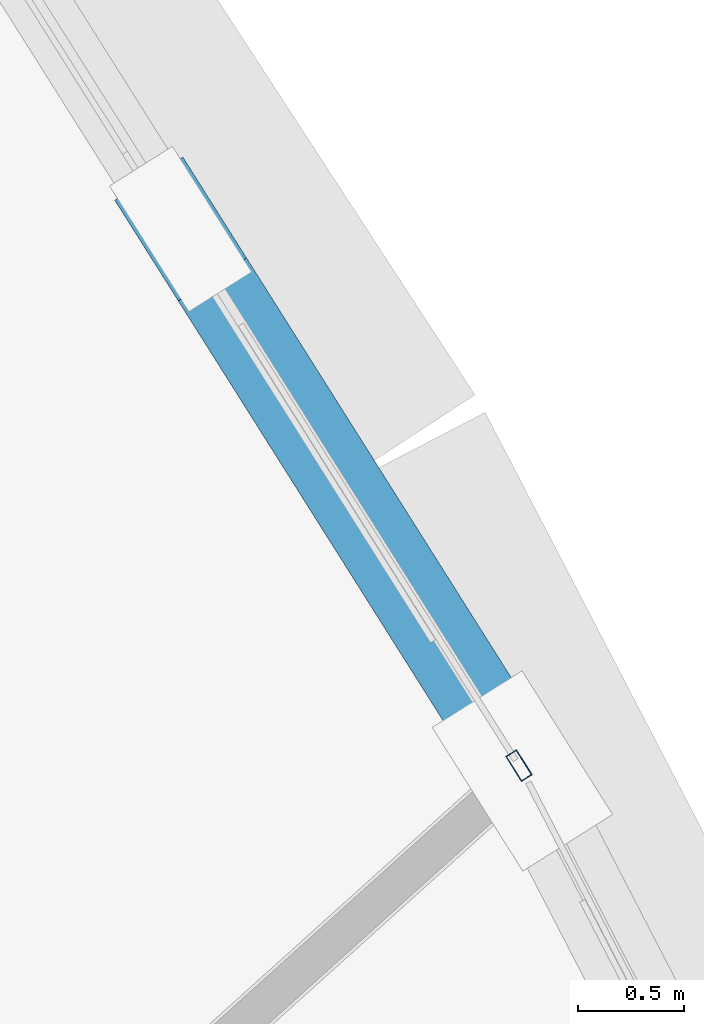
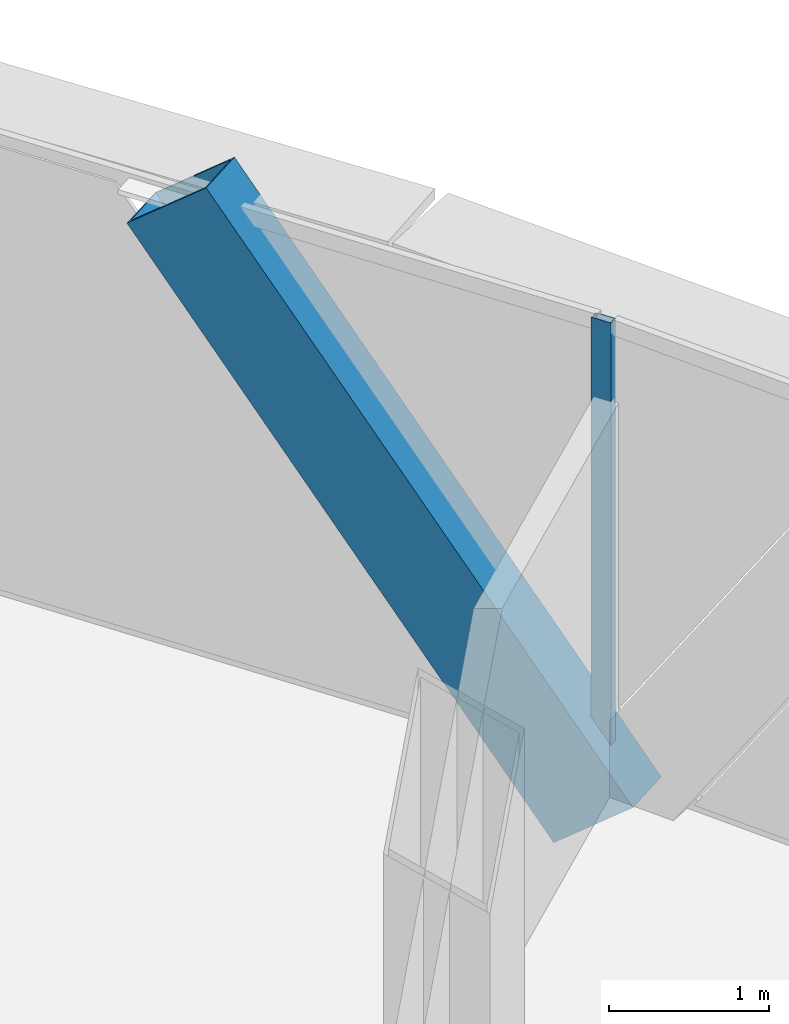
# One storey, part 15 of 28: 2 members, 1 element without a shape of its own.
"""IFC4 building model written with IfcOpenShell, lengths in metres."""

from ifc_helpers import new_model, si_unit, direction, frame, origin, origin_2d, place, context, subcontext, project, spatial, hollow_rectangle, extrude, source, transform, mapped, material, layer, layer_set, material_profile, profile_set, type_object, element, aggregate, save


model = new_model("IFC4")

# Units and contexts
model_context = context("Model", 3, precision=1e-05, world=origin(), true_north=direction((0.0, 1.0)))
body_context = subcontext(model_context, "Body", "Model", "MODEL_VIEW")
ifc_project = project(units=[si_unit("LENGTHUNIT", "METRE"), si_unit("AREAUNIT", "SQUARE_METRE"), si_unit("VOLUMEUNIT", "CUBIC_METRE"), si_unit("PLANEANGLEUNIT", "RADIAN"), si_unit("MASSUNIT", "GRAM", prefix="KILO"), si_unit("THERMODYNAMICTEMPERATUREUNIT", "KELVIN"), si_unit("POWERUNIT", "WATT")], contexts=[model_context])

# Site, building, storey
site_placement = place(None, origin())
site = spatial("IfcSite", under=ifc_project, at=site_placement, CompositionType="ELEMENT")
building_placement = place(site_placement, origin())
building = spatial("IfcBuilding", under=site, at=building_placement, Name="Yunzhuo Pagoda Commons", CompositionType="ELEMENT")
storey_placement = place(building_placement, frame((0.0, 0.0, 336.760009765625)))
storey = spatial("IfcBuildingStorey", under=building, at=storey_placement, Name="L84", CompositionType="ELEMENT", Elevation=336.760009765625)

# Member
ifc_material_1 = material(Name="Structural steel Q355B", Category="steel")
ifc_material_profile_1 = material_profile(ifc_material_1, hollow_rectangle(XDim=0.3798828125, YDim=0.719970703125, WallThickness=0.02001953125, at=origin_2d()), Name="Structural steel Q355B")
ifc_profile_set_1 = profile_set([ifc_material_profile_1], Name="Structural steel Q355B")
member_type_1 = type_object("IfcMemberType", Name="M-DL3 Brace BOX 720x380x20", PredefinedType="BRACE", material=ifc_profile_set_1)
shared_shape_1 = source(origin(), body_context, "Body", "SweptSolid", [
    extrude(hollow_rectangle(XDim=0.3798828125, YDim=0.719970703125, WallThickness=0.02001953125, at=origin_2d()), origin(), (0.0, 0.0, 1.0), 4.8134765625),
])
member_1_placement = place(storey_placement, frame((66.33447265625, 50.2080078125, -0.260009765625), z_axis=(-0.33449559865, 0.530273159042, 0.779052675551), x_axis=(-0.845786731706, -0.533521137791, 0.0)))
element("IfcMember", 1, at=member_1_placement, inside=storey, type_object=member_type_1, Name="L84 facade diamond brace F2.3L", PredefinedType="BRACE", context=body_context, shape_type="MappedRepresentation", body=[
    mapped(shared_shape_1, transform((0.0, 0.0, 0.0), scale=1.0)),
])

# Curtain wall, member
ifc_material_2 = material(Name="Anodized aluminium 6063-T6", Category="aluminium")
ifc_layer = layer(ifc_material_2, 0.139892578125)
ifc_layer_set = layer_set([ifc_layer], Name="Anodized aluminium 6063-T6")
curtain_wall_type = type_object("IfcCurtainWallType", Name="CW-HI High-Zone Ribbon Curtain Wall", PredefinedType="NOTDEFINED", material=ifc_layer_set)
curtain_wall_placement = place(storey_placement, origin())
curtain_wall = element("IfcCurtainWall", 2, at=curtain_wall_placement, inside=storey, type_object=curtain_wall_type, Name="L84 curtain wall CW-L84-F2B4", PredefinedType="NOTDEFINED")
ifc_material_profile_2 = material_profile(ifc_material_2, hollow_rectangle(XDim=0.06005859375, YDim=0.139892578125, WallThickness=0.00341796875, at=origin_2d()), Name="Anodized aluminium 6063-T6")
ifc_profile_set_2 = profile_set([ifc_material_profile_2], Name="Anodized aluminium 6063-T6")
member_type_2 = type_object("IfcMemberType", Name="CW-HI-M Mullion RHS 140x60x3.5", PredefinedType="MULLION", material=ifc_profile_set_2)
shared_shape_2 = source(origin(), body_context, "Body", "SweptSolid", [
    extrude(hollow_rectangle(XDim=0.06005859375, YDim=0.139892578125, WallThickness=0.00341796875, at=origin_2d()), origin(), (0.0, 0.0, 1.0), 3.489990234375),
])
member_2_placement = place(storey_placement, frame((66.318115234375, 50.2333984375, 0.0), z_axis=(0.0, 0.0, 1.0), x_axis=(-0.845817518552, -0.533472328532, 0.0)))
member_2 = element("IfcMember", 3, at=member_2_placement, type_object=member_type_2, Name="CW mullion 1", PredefinedType="MULLION", context=body_context, shape_type="MappedRepresentation", body=[
    mapped(shared_shape_2, transform((0.0, 0.0, 0.0), scale=1.0)),
])
aggregate(curtain_wall, [member_2])

save(model, "model.ifc")
